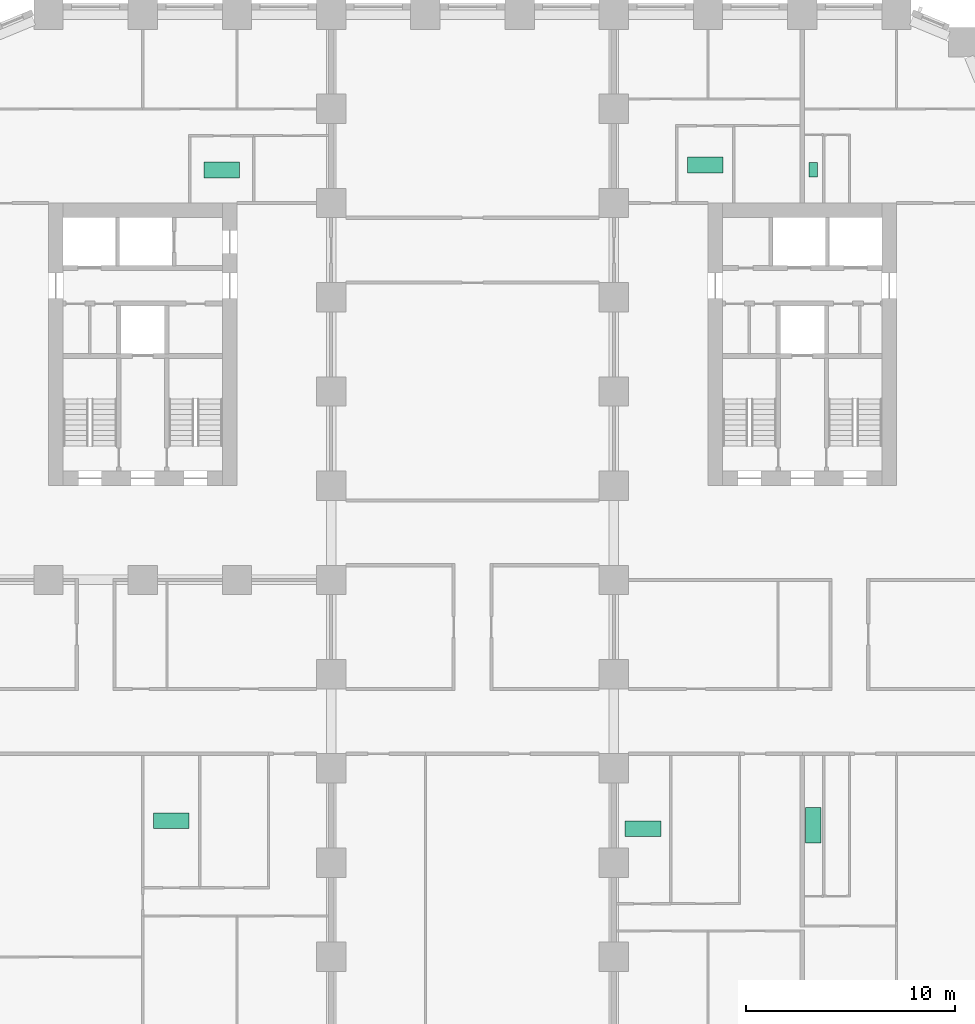
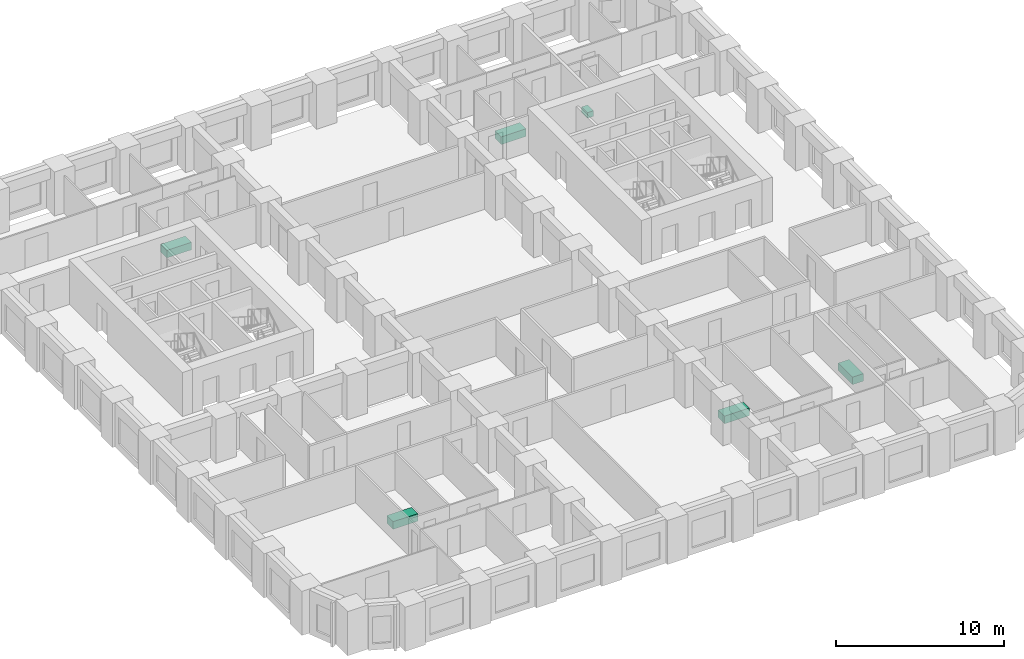
# One storey, part 12 of 12: 6 sanitary terminals.
"""IFC4 building model written with IfcOpenShell, lengths in metres."""

from ifc_helpers import new_model, si_unit, direction, frame, origin, origin_2d, place, context, subcontext, project, spatial, rectangle, extrude, material, type_object, element, save


model = new_model("IFC4")

# Units and contexts
model_context = context("Model", 3, precision=1e-05, world=origin(), true_north=direction((0.0, 1.0)))
body_context = subcontext(model_context, "Body", "Model", "MODEL_VIEW")
ifc_project = project(units=[si_unit("LENGTHUNIT", "METRE"), si_unit("AREAUNIT", "SQUARE_METRE"), si_unit("VOLUMEUNIT", "CUBIC_METRE"), si_unit("PLANEANGLEUNIT", "RADIAN"), si_unit("MASSUNIT", "GRAM", prefix="KILO")], contexts=[model_context])

# Site, building, storey
site_placement = place(None, origin())
site = spatial("IfcSite", under=ifc_project, at=site_placement, CompositionType="ELEMENT")
building_placement = place(site_placement, origin())
building = spatial("IfcBuilding", under=site, at=building_placement, Name="Girih Gate Residences", CompositionType="ELEMENT")
storey_placement = place(building_placement, frame((0.0, 0.0, 72.0)))
storey = spatial("IfcBuildingStorey", under=building, at=storey_placement, Name="L19", CompositionType="ELEMENT", Elevation=72.0)

# Sanitary terminals
ifc_material_1 = material(Name="Acrylic")
sanitary_terminal_type_1 = type_object("IfcSanitaryTerminalType", Name="Bath 1700", PredefinedType="BATH", material=ifc_material_1)
for number, where, z_axis, x_axis, name in (
    (1, (10.365966796875, 10.993896484375, 0.0), (0.0, 0.0, 1.0), (1.0, 0.0, 0.0), "Bath 1700 L19"),
    (2, (12.77294921875, 42.0791015625, 0.0), (0.0, 0.0, 1.0), (1.0, 0.0, 0.0), "Bath 1700 L19"),
):
    element("IfcSanitaryTerminal", number, at=place(storey_placement, frame(where, z_axis=z_axis, x_axis=x_axis)), inside=storey, type_object=sanitary_terminal_type_1, Name=name, PredefinedType="BATH", context=body_context, shape_type="SweptSolid", body=[
        extrude(rectangle(XDim=1.699951171875, YDim=0.75, at=origin_2d()), origin(), (0.0, 0.0, 1.0), 0.550048828125),
    ])
sanitary_terminal_1_placement = place(storey_placement, frame((41.030029296875, 10.7939453125, 0.0), z_axis=(0.0, 0.0, 1.0), x_axis=(1.0, 0.0, 0.0)))
element("IfcSanitaryTerminal", 3, at=sanitary_terminal_1_placement, inside=storey, type_object=sanitary_terminal_type_1, Name="Bath 1700 L19", PredefinedType="BATH", context=body_context, shape_type="SweptSolid", body=[
    extrude(rectangle(XDim=0.75, YDim=1.699951171875, at=origin_2d()), origin(), (0.0, 0.0, 1.0), 0.550048828125),
])
for number, where, z_axis, x_axis, name in (
    (4, (32.89111328125, 10.614013671875, 0.0), (0.0, 0.0, 1.0), (1.0, 0.0, 0.0), "Bath 1700 L19"),
    (5, (35.864990234375, 42.319091796875, 0.0), (0.0, 0.0, 1.0), (1.0, 0.0, 0.0), "Bath 1700 L19"),
):
    element("IfcSanitaryTerminal", number, at=place(storey_placement, frame(where, z_axis=z_axis, x_axis=x_axis)), inside=storey, type_object=sanitary_terminal_type_1, Name=name, PredefinedType="BATH", context=body_context, shape_type="SweptSolid", body=[
        extrude(rectangle(XDim=1.699951171875, YDim=0.75, at=origin_2d()), origin(), (0.0, 0.0, 1.0), 0.550048828125),
    ])
ifc_material_2 = material(Name="Vitreous china")
sanitary_terminal_type_2 = type_object("IfcSanitaryTerminalType", Name="WC pan", PredefinedType="TOILETPAN", material=ifc_material_2)
sanitary_terminal_2_placement = place(storey_placement, frame((41.030029296875, 42.09912109375, 0.0), z_axis=(0.0, 0.0, 1.0), x_axis=(1.0, 0.0, 0.0)))
element("IfcSanitaryTerminal", 6, at=sanitary_terminal_2_placement, inside=storey, type_object=sanitary_terminal_type_2, Name="WC pan L19", PredefinedType="TOILETPAN", context=body_context, shape_type="SweptSolid", body=[
    extrude(rectangle(XDim=0.39990234375, YDim=0.699951171875, at=origin_2d()), origin(), (0.0, 0.0, 1.0), 0.39990234375),
])

save(model, "model.ifc")
